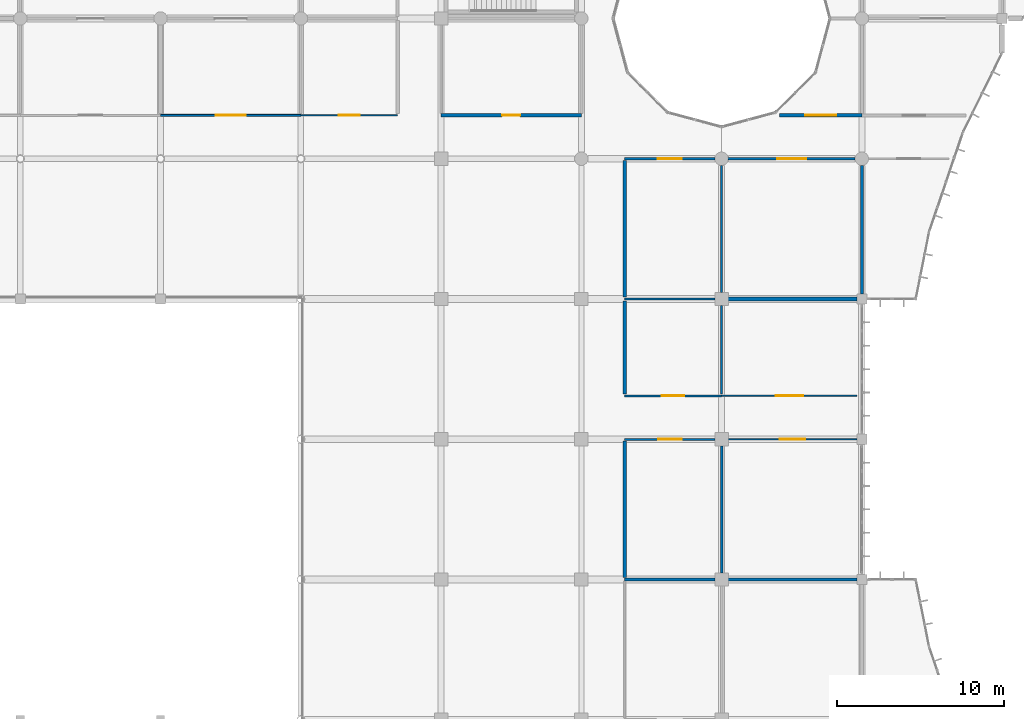
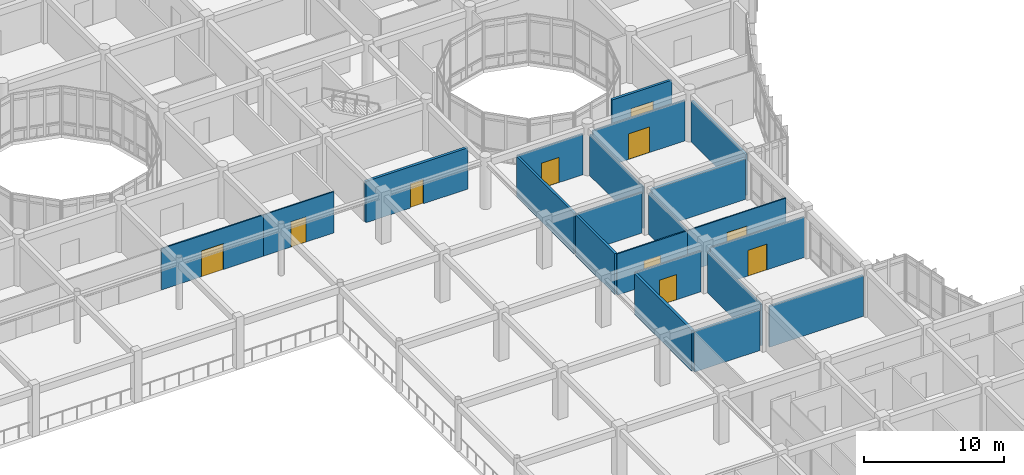
# One storey, part 105 of 144: 21 walls, 10 doors, 10 openings.
"""IFC4 building model written with IfcOpenShell, lengths in metres."""

import ifcopenshell
import ifcopenshell.guid

model = None  # the IFC model being written
_history = None  # IfcOwnerHistory: only IFC2X3 demands one
_inside = {}  # id of a spatial element -> (the spatial element, [elements in it])
_under = {}  # id of a project, library or spatial element -> (it, [spatial elements below it])
_declared = {}  # id of a project -> (the project, [libraries it declares])
_typed = {}  # id of a type object -> (the type object, [elements of that type])
_made_of = {}  # id of a material, layer set ... -> (it, [elements and type objects made of it])


def new_model(schema):
    """Start an empty IFC model of exactly this schema.

    Asked for "IFC4X3", IfcOpenShell would pick the latest addendum, in which some entities
    have other attributes; the version numbers below select the first issue.
    IFC2X3 requires an IfcOwnerHistory on every rooted entity: one is made here for all.
    """
    global model, _history
    if schema == "IFC4X3":
        model = ifcopenshell.file(schema_version=(4, 3, 0, 0))
    else:
        model = ifcopenshell.file(schema=schema)
    _inside.clear()
    _under.clear()
    _declared.clear()
    _typed.clear()
    _made_of.clear()
    _history = None
    if model.schema == "IFC2X3":
        org = make("IfcOrganization", Name="unknown")
        user = make(
            "IfcPersonAndOrganization",
            ThePerson=make("IfcPerson", FamilyName="unknown"),
            TheOrganization=org,
        )
        app = make(
            "IfcApplication",
            ApplicationDeveloper=org,
            Version="unknown",
            ApplicationFullName="unknown",
            ApplicationIdentifier="unknown",
        )
        _history = make(
            "IfcOwnerHistory",
            OwningUser=user,
            OwningApplication=app,
            ChangeAction="ADDED",
            CreationDate=0,
        )
    return model


def make(cls, **values):
    """One entity of the class cls with the attributes given. An attribute that is None is left unset."""
    return model.create_entity(
        cls, **{name: value for name, value in values.items() if value is not None}
    )


def rooted(cls, **values):
    """An entity with a GlobalId (a new one), such as an element, a storey or a relation."""
    return make(cls, GlobalId=ifcopenshell.guid.new(), OwnerHistory=_history, **values)


def si_unit(unit_type, name, prefix=None):
    """IfcSIUnit, for example si_unit("LENGTHUNIT", "METRE", prefix="MILLI")."""
    return make("IfcSIUnit", UnitType=unit_type, Prefix=prefix, Name=name)


def assignment(units):
    """IfcUnitAssignment: the units of a project."""
    return None if units is None else make("IfcUnitAssignment", Units=units)


def point(xyz):
    """IfcCartesianPoint."""
    return None if xyz is None else make("IfcCartesianPoint", Coordinates=xyz)


def direction(xyz):
    """IfcDirection."""
    return None if xyz is None else make("IfcDirection", DirectionRatios=xyz)


def frame(location, z_axis=None, x_axis=None):
    """IfcAxis2Placement3D, a coordinate frame: its origin and axes. An axis left out is left unset."""
    return make(
        "IfcAxis2Placement3D",
        Location=point(location),
        Axis=direction(z_axis),
        RefDirection=direction(x_axis),
    )


def frame_2d(location, x_axis=None):
    """IfcAxis2Placement2D, a coordinate frame in the plane: its origin and x axis."""
    return make(
        "IfcAxis2Placement2D", Location=point(location), RefDirection=direction(x_axis)
    )


def origin():
    """The frame at (0, 0, 0) with its axes left unset."""
    return frame((0.0, 0.0, 0.0))


def place(relative_to, where):
    """IfcLocalPlacement: puts the frame where relative to a parent placement (None: the world)."""
    return make(
        "IfcLocalPlacement", PlacementRelTo=relative_to, RelativePlacement=where
    )


def context(
    kind, dimensions, precision=None, world=None, true_north=None, identifier=None
):
    """IfcGeometricRepresentationContext, for example the 3D "Model" context."""
    return make(
        "IfcGeometricRepresentationContext",
        ContextIdentifier=identifier,
        ContextType=kind,
        CoordinateSpaceDimension=dimensions,
        Precision=precision,
        WorldCoordinateSystem=world,
        TrueNorth=true_north,
    )


def subcontext(parent, identifier, kind, view, scale=None):
    """IfcGeometricRepresentationSubContext, for example "Body" below "Model"."""
    return make(
        "IfcGeometricRepresentationSubContext",
        ContextIdentifier=identifier,
        ContextType=kind,
        ParentContext=parent,
        TargetScale=scale,
        TargetView=view,
    )


def project(units=None, contexts=None):
    """IfcProject with its units and contexts."""
    return rooted(
        "IfcProject",
        Name="project",
        RepresentationContexts=contexts,
        UnitsInContext=assignment(units),
    )


def spatial(cls, under=None, at=None, **own):
    """A site, building, storey or space (cls), placed at a placement, below another one or the project."""
    s = rooted(cls, ObjectPlacement=at, **own)
    if under is not None:
        _under.setdefault(under.id(), (under, []))[1].append(s)
    return s


def profile(cls, at=None, kind="AREA", **sizes):
    """A parametric profile (cls). Its sizes go by their IFC names, for example OverallWidth=200.0."""
    return make(cls, ProfileType=kind, Position=at, **sizes)


def rectangle(**sizes):
    """IfcRectangleProfileDef."""
    return profile("IfcRectangleProfileDef", **sizes)


def extrude(swept, where, along, depth):
    """IfcExtrudedAreaSolid: the profile swept, set in the frame where, extruded along a direction by depth."""
    return make(
        "IfcExtrudedAreaSolid",
        SweptArea=swept,
        Position=where,
        ExtrudedDirection=direction(along),
        Depth=depth,
    )


def shape(context_of_items, identifier, shape_type, items):
    """IfcShapeRepresentation: the items that make up one representation, for example the "Body"."""
    return make(
        "IfcShapeRepresentation",
        ContextOfItems=context_of_items,
        RepresentationIdentifier=identifier,
        RepresentationType=shape_type,
        Items=items,
    )


def material(Name=None, Category=None):
    """IfcMaterial."""
    return make("IfcMaterial", Name=Name, Category=Category)


def layer(
    of_material, thickness, ventilated=None, Name=None, Category=None, Priority=None
):
    """IfcMaterialLayer: one layer of a wall or slab, of a material (None: an air gap)."""
    return make(
        "IfcMaterialLayer",
        Material=of_material,
        LayerThickness=thickness,
        IsVentilated=ventilated,
        Name=Name,
        Category=Category,
        Priority=Priority,
    )


def layer_set(layers, Name=None):
    """IfcMaterialLayerSet."""
    return make("IfcMaterialLayerSet", MaterialLayers=layers, LayerSetName=Name)


def made_of(thing, what):
    """Note that an element or type object is made of a material, layer set ...; save() writes the relation."""
    if what is not None:
        _made_of.setdefault(what.id(), (what, []))[1].append(thing)
    return thing


def type_object(cls, material=None, **own):
    """A type object (cls), such as IfcWallType, which elements share."""
    return made_of(rooted(cls, **own), material)


def element(
    cls,
    number,
    at=None,
    inside=None,
    cuts=None,
    type_object=None,
    material=None,
    context=None,
    identifier="Body",
    shape_type=None,
    held_by="IfcProductDefinitionShape",
    body=None,
    shapes=None,
    **own,
):
    """One element of the class cls, such as IfcWall. Its Tag is "e" and its number.

    at: its placement. inside: the storey or other place that contains it. cuts: it is an
    opening in that element (IfcRelVoidsElement). A single representation is given by context,
    identifier, shape_type and body (its items); several are given by shapes. held_by: the class
    of the entity that holds the representations. save() writes the other relations.
    """
    e = rooted(cls, Tag="e%d" % number, ObjectPlacement=at, **own)
    if body is not None:
        shapes = [shape(context, identifier, shape_type, body)]
    if shapes is not None:
        e.Representation = make(held_by, Representations=shapes)
    if inside is not None:
        _inside.setdefault(inside.id(), (inside, []))[1].append(e)
    if cuts is not None:
        rooted(
            "IfcRelVoidsElement", RelatingBuildingElement=cuts, RelatedOpeningElement=e
        )
    if type_object is not None:
        _typed.setdefault(type_object.id(), (type_object, []))[1].append(e)
    return made_of(e, material)


def fill(opening, filler):
    """IfcRelFillsElement: the door or window that sits in an opening."""
    return rooted(
        "IfcRelFillsElement",
        RelatingOpeningElement=opening,
        RelatedBuildingElement=filler,
    )


def aggregate(whole, parts):
    """IfcRelAggregates: a whole, such as a stair, and the parts it consists of."""
    return rooted("IfcRelAggregates", RelatingObject=whole, RelatedObjects=parts)


def save(model, path):
    """Write the relations noted so far, then the file.

    IfcRelAggregates (storeys below a building ...), IfcRelContainedInSpatialStructure (elements
    in a storey), IfcRelDefinesByType, IfcRelAssociatesMaterial and IfcRelDeclares: one each for
    every whole, place, type object, material and project.
    """
    for whole, parts in _under.values():
        aggregate(whole, parts)
    for where, things in _inside.values():
        rooted(
            "IfcRelContainedInSpatialStructure",
            RelatedElements=things,
            RelatingStructure=where,
        )
    for kind, things in _typed.values():
        rooted("IfcRelDefinesByType", RelatedObjects=things, RelatingType=kind)
    for what, things in _made_of.values():
        rooted("IfcRelAssociatesMaterial", RelatedObjects=things, RelatingMaterial=what)
    for by, libraries in _declared.values():
        rooted("IfcRelDeclares", RelatingContext=by, RelatedDefinitions=libraries)
    model.write(path)


model = new_model("IFC4")

# Units and contexts
model_context = context("Model", 3, precision=1e-05, world=origin(), true_north=direction((0.0, 1.0)))
body_context = subcontext(model_context, "Body", "Model", "MODEL_VIEW")
ifc_project = project(units=[si_unit("LENGTHUNIT", "METRE"), si_unit("AREAUNIT", "SQUARE_METRE"), si_unit("VOLUMEUNIT", "CUBIC_METRE"), si_unit("PLANEANGLEUNIT", "RADIAN"), si_unit("MASSUNIT", "GRAM", prefix="KILO")], contexts=[model_context])

# Site, building, storey
site_placement = place(None, origin())
site = spatial("IfcSite", under=ifc_project, at=site_placement, CompositionType="ELEMENT")
building_placement = place(site_placement, origin())
building = spatial("IfcBuilding", under=site, at=building_placement, Name="Bramfleet General Hospital", CompositionType="ELEMENT")
storey_placement = place(building_placement, frame((0.0, 0.0, 4.800048828125)))
storey = spatial("IfcBuildingStorey", under=building, at=storey_placement, Name="L01", CompositionType="ELEMENT", Elevation=4.800048828125)

# Wall
ifc_material_1 = material(Name="Concrete C35/45", Category="concrete")
ifc_layer_1 = layer(ifc_material_1, 0.219970703125, Name="WT-IW-01")
ifc_layer_set_1 = layer_set([ifc_layer_1], Name="Concrete C35/45")
wall_type_1 = type_object("IfcWallType", Name="WT-IW-01", PredefinedType="PARTITIONING", material=ifc_layer_set_1)
wall_1_placement = place(storey_placement, frame((117.9951171875, 50.39990234375, 0.0), z_axis=(0.0, 0.0, 1.0), x_axis=(1.0, 0.0, 0.0)))
element("IfcWall", 1, at=wall_1_placement, inside=storey, type_object=wall_type_1, Name="L01 Interior Partition IW-L01-1381", PredefinedType="PARTITIONING", context=body_context, shape_type="SweptSolid", body=[
    extrude(rectangle(XDim=7.7099609375, YDim=0.219970703125, at=frame_2d((3.85498046875, 0.0))), origin(), (0.0, 0.0, 1.0), 3.5400390625),
])

# Wall, opening, door
wall_2_placement = place(storey_placement, frame((100.800048828125, 61.39990234375, 0.0), z_axis=(0.0, 0.0, 1.0), x_axis=(1.0, 0.0, 0.0)))
wall_2 = element("IfcWall", 2, at=wall_2_placement, inside=storey, type_object=wall_type_1, Name="L01 Interior Partition IW-L01-1405", PredefinedType="PARTITIONING", context=body_context, shape_type="SweptSolid", body=[
    extrude(rectangle(XDim=8.39990234375, YDim=0.219970703125, at=frame_2d((4.199951171875, 0.0))), origin(), (0.0, 0.0, 1.0), 3.58984375),
])
opening_1_placement = place(wall_2_placement, frame((3.659912109375, 0.0, 0.0)))
opening_1 = element("IfcOpeningElement", 3, at=opening_1_placement, cuts=wall_2, Name="Opening D0758", PredefinedType="OPENING", context=body_context, shape_type="SweptSolid", body=[
    extrude(rectangle(XDim=1.080078125, YDim=2.1201171875, at=frame_2d((0.5400390625, 1.06005859375))), frame((0.0, 0.119873046875, 0.0), z_axis=(0.0, -1.0, 0.0), x_axis=(1.0, 0.0, 0.0)), (0.0, 0.0, 1.0), 0.239990234375),
])
ifc_material_2 = material(Name="Stainless steel and acoustic timber leaf", Category="steel")
door_type_1 = type_object("IfcDoorType", Name="DR-D-22", OperationType="NOTDEFINED", PredefinedType="DOOR", material=ifc_material_2)
door_1_placement = place(opening_1_placement, origin())
door_1 = element("IfcDoor", 4, at=door_1_placement, inside=storey, type_object=door_type_1, Name="Pathology and Clinical Laboratory L01-1207A Door D0758", OperationType="SINGLE_SWING_LEFT", OverallHeight=2.1201171875, OverallWidth=1.080078125, PredefinedType="DOOR", context=body_context, shape_type="SweptSolid", body=[
    extrude(rectangle(XDim=1.080078125, YDim=2.1201171875, at=frame_2d((0.5400390625, 1.06005859375))), frame((0.0, 0.02490234375, 0.0), z_axis=(0.0, -1.0, 0.0), x_axis=(1.0, 0.0, 0.0)), (0.0, 0.0, 1.0), 0.050048828125),
])
fill(opening_1, door_1)

# Wall
wall_3_placement = place(storey_placement, frame((111.800048828125, 33.715087890625, 0.0), z_axis=(0.0, 0.0, 1.0), x_axis=(0.0, 1.0, 0.0)))
element("IfcWall", 5, at=wall_3_placement, inside=storey, type_object=wall_type_1, Name="L01 Interior Partition IW-L01-1825", PredefinedType="PARTITIONING", context=body_context, shape_type="SweptSolid", body=[
    extrude(rectangle(XDim=8.169921875, YDim=0.219970703125, at=frame_2d((4.0849609375, 0.0))), origin(), (0.0, 0.0, 1.0), 3.5400390625),
])

# Wall, opening, door
ifc_layer_2 = layer(ifc_material_1, 0.205078125, Name="WT-IW-02")
ifc_layer_set_2 = layer_set([ifc_layer_2], Name="Concrete C35/45")
wall_type_2 = type_object("IfcWallType", Name="WT-IW-02", PredefinedType="PARTITIONING", material=ifc_layer_set_2)
wall_4_placement = place(storey_placement, frame((121.074951171875, 61.39990234375, 0.0), z_axis=(0.0, 0.0, 1.0), x_axis=(1.0, 0.0, 0.0)))
wall_4 = element("IfcWall", 6, at=wall_4_placement, inside=storey, type_object=wall_type_2, Name="L01 Interior Partition IW-L01-1406", PredefinedType="PARTITIONING", context=body_context, shape_type="SweptSolid", body=[
    extrude(rectangle(XDim=4.925048828125, YDim=0.205078125, at=frame_2d((2.46240234375, 0.0))), origin(), (0.0, 0.0, 1.0), 3.58984375),
])
opening_2_placement = place(wall_4_placement, frame((1.54248046875, 0.0, 0.0)))
opening_2 = element("IfcOpeningElement", 7, at=opening_2_placement, cuts=wall_4, Name="Opening D0788", PredefinedType="OPENING", context=body_context, shape_type="SweptSolid", body=[
    extrude(rectangle(XDim=1.840087890625, YDim=2.280029296875, at=frame_2d((0.919921875, 1.14013671875))), frame((0.0, 0.112548828125, 0.0), z_axis=(0.0, -1.0, 0.0), x_axis=(1.0, 0.0, 0.0)), (0.0, 0.0, 1.0), 0.22509765625),
])
door_type_2 = type_object("IfcDoorType", Name="DR-D-20", OperationType="NOTDEFINED", PredefinedType="DOOR", material=ifc_material_2)
door_2_placement = place(opening_2_placement, origin())
door_2 = element("IfcDoor", 8, at=door_2_placement, inside=storey, type_object=door_type_2, Name="Courtyard Waiting Lounge L01-1407 Door D0788", OperationType="DOUBLE_SWING_LEFT", OverallHeight=2.280029296875, OverallWidth=1.840087890625, PredefinedType="DOOR", context=body_context, shape_type="SweptSolid", body=[
    extrude(rectangle(XDim=1.840087890625, YDim=2.280029296875, at=frame_2d((0.919921875, 1.14013671875))), frame((0.0, 0.02490234375, 0.0), z_axis=(0.0, -1.0, 0.0), x_axis=(1.0, 0.0, 0.0)), (0.0, 0.0, 1.0), 0.050048828125),
])
fill(opening_2, door_2)

# Walls
wall_5_placement = place(storey_placement, frame((111.800048828125, 44.715087890625, 0.0), z_axis=(0.0, 0.0, 1.0), x_axis=(0.0, 1.0, 0.0)))
element("IfcWall", 9, at=wall_5_placement, inside=storey, type_object=wall_type_2, Name="L01 Interior Partition IW-L01-1826", PredefinedType="PARTITIONING", context=body_context, shape_type="SweptSolid", body=[
    extrude(rectangle(XDim=5.56982421875, YDim=0.205078125, at=frame_2d((2.784912109375, 0.0))), origin(), (0.0, 0.0, 1.0), 3.5400390625),
])
ifc_layer_3 = layer(ifc_material_1, 0.18994140625, Name="WT-IW-03")
ifc_layer_set_3 = layer_set([ifc_layer_3], Name="Concrete C35/45")
wall_type_3 = type_object("IfcWallType", Name="WT-IW-03", PredefinedType="PARTITIONING", material=ifc_layer_set_3)
wall_6_placement = place(storey_placement, frame((111.800048828125, 50.514892578125, 0.0), z_axis=(0.0, 0.0, 1.0), x_axis=(0.0, 1.0, 0.0)))
element("IfcWall", 10, at=wall_6_placement, inside=storey, type_object=wall_type_3, Name="L01 Interior Partition IW-L01-1827", PredefinedType="PARTITIONING", context=body_context, shape_type="SweptSolid", body=[
    extrude(rectangle(XDim=8.170166015625, YDim=0.18994140625, at=frame_2d((4.0849609375, 0.0))), origin(), (0.0, 0.0, 1.0), 3.5400390625),
])
wall_7_placement = place(storey_placement, frame((126.0, 50.695068359375, 0.0), z_axis=(0.0, 0.0, 1.0), x_axis=(0.0, 1.0, 0.0)))
element("IfcWall", 11, at=wall_7_placement, inside=storey, type_object=wall_type_3, Name="L01 Interior Partition IW-L01-1863", PredefinedType="PARTITIONING", context=body_context, shape_type="SweptSolid", body=[
    extrude(rectangle(XDim=7.7099609375, YDim=0.18994140625, at=frame_2d((3.85498046875, 0.0))), origin(), (0.0, 0.0, 1.0), 3.58984375),
])
ifc_layer_4 = layer(ifc_material_1, 0.179931640625, Name="WT-IW-04")
ifc_layer_set_4 = layer_set([ifc_layer_4], Name="Concrete C35/45")
wall_type_4 = type_object("IfcWallType", Name="WT-IW-04", PredefinedType="PARTITIONING", material=ifc_layer_set_4)
wall_8_placement = place(storey_placement, frame((111.800048828125, 33.60009765625, 0.0), z_axis=(0.0, 0.0, 1.0), x_axis=(1.0, 0.0, 0.0)))
element("IfcWall", 12, at=wall_8_placement, inside=storey, type_object=wall_type_4, Name="L01 Interior Partition IW-L01-1336", PredefinedType="PARTITIONING", context=body_context, shape_type="SweptSolid", body=[
    extrude(rectangle(XDim=5.405029296875, YDim=0.179931640625, at=frame_2d((2.70263671875, 0.0))), origin(), (0.0, 0.0, 1.0), 3.5400390625),
])
ifc_material_3 = material(Name="Gypsum plasterboard on acoustic steel studs", Category="steel")
ifc_layer_5 = layer(ifc_material_3, 0.169921875, Name="WT-IW-05")
ifc_layer_set_5 = layer_set([ifc_layer_5], Name="Gypsum plasterboard on acoustic steel studs")
wall_type_5 = type_object("IfcWallType", Name="WT-IW-05", PredefinedType="PARTITIONING", material=ifc_layer_set_5)
wall_9_placement = place(storey_placement, frame((117.9951171875, 33.60009765625, 0.0), z_axis=(0.0, 0.0, 1.0), x_axis=(1.0, 0.0, 0.0)))
element("IfcWall", 13, at=wall_9_placement, inside=storey, type_object=wall_type_5, Name="L01 Interior Partition IW-L01-1337", PredefinedType="PARTITIONING", context=body_context, shape_type="SweptSolid", body=[
    extrude(rectangle(XDim=7.7099609375, YDim=0.169921875, at=frame_2d((3.85498046875, 0.0))), origin(), (0.0, 0.0, 1.0), 3.5400390625),
])
ifc_layer_6 = layer(ifc_material_3, 0.139892578125, Name="WT-IW-08")
ifc_layer_set_6 = layer_set([ifc_layer_6], Name="Gypsum plasterboard on acoustic steel studs")
wall_type_6 = type_object("IfcWallType", Name="WT-IW-08", PredefinedType="PARTITIONING", material=ifc_layer_set_6)
wall_10_placement = place(storey_placement, frame((117.60009765625, 33.9951171875, 0.0), z_axis=(0.0, 0.0, 1.0), x_axis=(0.0, 1.0, 0.0)))
element("IfcWall", 14, at=wall_10_placement, inside=storey, type_object=wall_type_6, Name="L01 Interior Partition IW-L01-1844", PredefinedType="PARTITIONING", context=body_context, shape_type="SweptSolid", body=[
    extrude(rectangle(XDim=7.60986328125, YDim=0.139892578125, at=frame_2d((3.804931640625, 0.0))), origin(), (0.0, 0.0, 1.0), 3.58984375),
])

# Wall, opening, door
ifc_layer_7 = layer(ifc_material_3, 0.1298828125, Name="WT-IW-09")
ifc_layer_set_7 = layer_set([ifc_layer_7], Name="Gypsum plasterboard on acoustic steel studs")
wall_type_7 = type_object("IfcWallType", Name="WT-IW-09", PredefinedType="PARTITIONING", material=ifc_layer_set_7)
wall_11_placement = place(storey_placement, frame((111.800048828125, 58.800048828125, 0.0), z_axis=(0.0, 0.0, 1.0), x_axis=(1.0, 0.0, 0.0)))
wall_11 = element("IfcWall", 15, at=wall_11_placement, inside=storey, type_object=wall_type_7, Name="L01 Interior Partition IW-L01-1389", PredefinedType="PARTITIONING", context=body_context, shape_type="SweptSolid", body=[
    extrude(rectangle(XDim=5.405029296875, YDim=0.1298828125, at=frame_2d((2.70263671875, 0.0))), origin(), (0.0, 0.0, 1.0), 3.5400390625),
])
opening_3_placement = place(wall_11_placement, frame((1.9775390625, 0.0, 0.0)))
opening_3 = element("IfcOpeningElement", 16, at=opening_3_placement, cuts=wall_11, Name="Opening D0771", PredefinedType="OPENING", context=body_context, shape_type="SweptSolid", body=[
    extrude(rectangle(XDim=1.449951171875, YDim=2.199951171875, at=frame_2d((0.72509765625, 1.10009765625))), frame((0.0, 0.074951171875, 0.0), z_axis=(0.0, -1.0, 0.0), x_axis=(1.0, 0.0, 0.0)), (0.0, 0.0, 1.0), 0.14990234375),
])
door_type_3 = type_object("IfcDoorType", Name="DR-D-03", OperationType="NOTDEFINED", PredefinedType="DOOR", material=ifc_material_2)
door_3_placement = place(opening_3_placement, origin())
door_3 = element("IfcDoor", 17, at=door_3_placement, inside=storey, type_object=door_type_3, Name="Pathology and Clinical Laboratory L01-1306A Door D0771", OperationType="SINGLE_SWING_RIGHT", OverallHeight=2.199951171875, OverallWidth=1.449951171875, PredefinedType="DOOR", context=body_context, shape_type="SweptSolid", body=[
    extrude(rectangle(XDim=1.449951171875, YDim=2.199951171875, at=frame_2d((0.72509765625, 1.10009765625))), frame((0.0, 0.02490234375, 0.0), z_axis=(0.0, -1.0, 0.0), x_axis=(1.0, 0.0, 0.0)), (0.0, 0.0, 1.0), 0.050048828125),
])
fill(opening_3, door_3)

# Wall
wall_12_placement = place(storey_placement, frame((117.60009765625, 44.715087890625, 0.0), z_axis=(0.0, 0.0, 1.0), x_axis=(0.0, 1.0, 0.0)))
element("IfcWall", 18, at=wall_12_placement, inside=storey, type_object=wall_type_7, Name="L01 Interior Partition IW-L01-1845", PredefinedType="PARTITIONING", context=body_context, shape_type="SweptSolid", body=[
    extrude(rectangle(XDim=5.289794921875, YDim=0.1298828125, at=frame_2d((2.64501953125, 0.0))), origin(), (0.0, 0.0, 1.0), 3.58984375),
])

# Wall, opening, door
ifc_layer_8 = layer(ifc_material_3, 0.1201171875, Name="WT-IW-10")
ifc_layer_set_8 = layer_set([ifc_layer_8], Name="Gypsum plasterboard on acoustic steel studs")
wall_type_8 = type_object("IfcWallType", Name="WT-IW-10", PredefinedType="PARTITIONING", material=ifc_layer_set_8)
wall_13_placement = place(storey_placement, frame((111.800048828125, 42.0, 0.0), z_axis=(0.0, 0.0, 1.0), x_axis=(1.0, 0.0, 0.0)))
wall_13 = element("IfcWall", 19, at=wall_13_placement, inside=storey, type_object=wall_type_8, Name="L01 Interior Partition IW-L01-1354", PredefinedType="PARTITIONING", context=body_context, shape_type="SweptSolid", body=[
    extrude(rectangle(XDim=5.405029296875, YDim=0.1201171875, at=frame_2d((2.70263671875, 0.0))), origin(), (0.0, 0.0, 1.0), 3.5400390625),
])
opening_4_placement = place(wall_13_placement, frame((2.00244140625, 0.0, 0.0)))
opening_4 = element("IfcOpeningElement", 20, at=opening_4_placement, cuts=wall_13, Name="Opening D0769", PredefinedType="OPENING", context=body_context, shape_type="SweptSolid", body=[
    extrude(rectangle(XDim=1.39990234375, YDim=2.199951171875, at=frame_2d((0.699951171875, 1.10009765625))), frame((0.0, 0.070068359375, 0.0), z_axis=(0.0, -1.0, 0.0), x_axis=(1.0, 0.0, 0.0)), (0.0, 0.0, 1.0), 0.14013671875),
])
door_type_4 = type_object("IfcDoorType", Name="DR-D-01", OperationType="NOTDEFINED", PredefinedType="DOOR", material=ifc_material_2)
door_4_placement = place(opening_4_placement, origin())
door_4 = element("IfcDoor", 21, at=door_4_placement, inside=storey, type_object=door_type_4, Name="Pathology and Clinical Laboratory L01-1304A Door D0769", OperationType="SINGLE_SWING_RIGHT", OverallHeight=2.199951171875, OverallWidth=1.39990234375, PredefinedType="DOOR", context=body_context, shape_type="SweptSolid", body=[
    extrude(rectangle(XDim=1.39990234375, YDim=2.199951171875, at=frame_2d((0.699951171875, 1.10009765625))), frame((0.0, 0.02490234375, 0.0), z_axis=(0.0, -1.0, 0.0), x_axis=(1.0, 0.0, 0.0)), (0.0, 0.0, 1.0), 0.050048828125),
])
fill(opening_4, door_4)

wall_14_placement = place(storey_placement, frame((117.9951171875, 58.800048828125, 0.0), z_axis=(0.0, 0.0, 1.0), x_axis=(1.0, 0.0, 0.0)))
wall_14 = element("IfcWall", 22, at=wall_14_placement, inside=storey, type_object=wall_type_8, Name="L01 Interior Partition IW-L01-1390", PredefinedType="PARTITIONING", context=body_context, shape_type="SweptSolid", body=[
    extrude(rectangle(XDim=7.60986328125, YDim=0.1201171875, at=frame_2d((3.804931640625, 0.0))), origin(), (0.0, 0.0, 1.0), 3.5400390625),
])
opening_5_placement = place(wall_14_placement, frame((2.93505859375, 0.0, 0.0)))
opening_5 = element("IfcOpeningElement", 23, at=opening_5_placement, cuts=wall_14, Name="Opening D0787", PredefinedType="OPENING", context=body_context, shape_type="SweptSolid", body=[
    extrude(rectangle(XDim=1.739990234375, YDim=2.239990234375, at=frame_2d((0.8701171875, 1.1201171875))), frame((0.0, 0.070068359375, 0.0), z_axis=(0.0, -1.0, 0.0), x_axis=(1.0, 0.0, 0.0)), (0.0, 0.0, 1.0), 0.14013671875),
])
door_type_5 = type_object("IfcDoorType", Name="DR-D-19", OperationType="NOTDEFINED", PredefinedType="DOOR", material=ifc_material_2)
door_5_placement = place(opening_5_placement, origin())
door_5 = element("IfcDoor", 24, at=door_5_placement, inside=storey, type_object=door_type_5, Name="Pathology and Clinical Laboratory L01-1406A Door D0787", OperationType="DOUBLE_SWING_RIGHT", OverallHeight=2.239990234375, OverallWidth=1.739990234375, PredefinedType="DOOR", context=body_context, shape_type="SweptSolid", body=[
    extrude(rectangle(XDim=1.739990234375, YDim=2.239990234375, at=frame_2d((0.8701171875, 1.1201171875))), frame((0.0, 0.02490234375, 0.0), z_axis=(0.0, -1.0, 0.0), x_axis=(1.0, 0.0, 0.0)), (0.0, 0.0, 1.0), 0.050048828125),
])
fill(opening_5, door_5)

# Wall
wall_15_placement = place(storey_placement, frame((117.60009765625, 50.794921875, 0.0), z_axis=(0.0, 0.0, 1.0), x_axis=(0.0, 1.0, 0.0)))
element("IfcWall", 25, at=wall_15_placement, inside=storey, type_object=wall_type_8, Name="L01 Interior Partition IW-L01-1846", PredefinedType="PARTITIONING", context=body_context, shape_type="SweptSolid", body=[
    extrude(rectangle(XDim=7.610107421875, YDim=0.1201171875, at=frame_2d((3.80517578125, 0.0))), origin(), (0.0, 0.0, 1.0), 3.58984375),
])

# Wall, opening, door
ifc_layer_9 = layer(ifc_material_3, 0.112060546875, Name="WT-IW-11")
ifc_layer_set_9 = layer_set([ifc_layer_9], Name="Gypsum plasterboard on acoustic steel studs")
wall_type_9 = type_object("IfcWallType", Name="WT-IW-11", PredefinedType="PARTITIONING", material=ifc_layer_set_9)
wall_16_placement = place(storey_placement, frame((117.9951171875, 42.0, 0.0), z_axis=(0.0, 0.0, 1.0), x_axis=(1.0, 0.0, 0.0)))
wall_16 = element("IfcWall", 26, at=wall_16_placement, inside=storey, type_object=wall_type_9, Name="L01 Interior Partition IW-L01-1355", PredefinedType="PARTITIONING", context=body_context, shape_type="SweptSolid", body=[
    extrude(rectangle(XDim=7.7099609375, YDim=0.112060546875, at=frame_2d((3.85498046875, 0.0))), origin(), (0.0, 0.0, 1.0), 3.5400390625),
])
opening_6_placement = place(wall_16_placement, frame((3.0849609375, 0.0, 0.0)))
opening_6 = element("IfcOpeningElement", 27, at=opening_6_placement, cuts=wall_16, Name="Opening D0785", PredefinedType="OPENING", context=body_context, shape_type="SweptSolid", body=[
    extrude(rectangle(XDim=1.5400390625, YDim=2.239990234375, at=frame_2d((0.77001953125, 1.1201171875))), frame((0.0, 0.06591796875, 0.0), z_axis=(0.0, -1.0, 0.0), x_axis=(1.0, 0.0, 0.0)), (0.0, 0.0, 1.0), 0.132080078125),
])
door_type_6 = type_object("IfcDoorType", Name="DR-D-17", OperationType="NOTDEFINED", PredefinedType="DOOR", material=ifc_material_2)
door_6_placement = place(opening_6_placement, origin())
door_6 = element("IfcDoor", 28, at=door_6_placement, inside=storey, type_object=door_type_6, Name="Pathology and Clinical Laboratory L01-1404A Door D0785", OperationType="SINGLE_SWING_RIGHT", OverallHeight=2.239990234375, OverallWidth=1.5400390625, PredefinedType="DOOR", context=body_context, shape_type="SweptSolid", body=[
    extrude(rectangle(XDim=1.5400390625, YDim=2.239990234375, at=frame_2d((0.77001953125, 1.1201171875))), frame((0.0, 0.02490234375, 0.0), z_axis=(0.0, -1.0, 0.0), x_axis=(1.0, 0.0, 0.0)), (0.0, 0.0, 1.0), 0.050048828125),
])
fill(opening_6, door_6)

wall_17_placement = place(storey_placement, frame((111.800048828125, 44.60009765625, 0.0), z_axis=(0.0, 0.0, 1.0), x_axis=(1.0, 0.0, 0.0)))
wall_17 = element("IfcWall", 29, at=wall_17_placement, inside=storey, type_object=wall_type_9, Name="L01 Interior Partition IW-L01-1367", PredefinedType="PARTITIONING", context=body_context, shape_type="SweptSolid", body=[
    extrude(rectangle(XDim=5.800048828125, YDim=0.112060546875, at=frame_2d((2.89990234375, 0.0))), origin(), (0.0, 0.0, 1.0), 3.58984375),
])
opening_7_placement = place(wall_17_placement, frame((2.22509765625, 0.0, 0.0)))
opening_7 = element("IfcOpeningElement", 30, at=opening_7_placement, cuts=wall_17, Name="Opening D0770", PredefinedType="OPENING", context=body_context, shape_type="SweptSolid", body=[
    extrude(rectangle(XDim=1.35009765625, YDim=2.199951171875, at=frame_2d((0.675048828125, 1.10009765625))), frame((0.0, 0.06591796875, 0.0), z_axis=(0.0, -1.0, 0.0), x_axis=(1.0, 0.0, 0.0)), (0.0, 0.0, 1.0), 0.132080078125),
])
door_type_7 = type_object("IfcDoorType", Name="DR-D-02", OperationType="NOTDEFINED", PredefinedType="DOOR", material=ifc_material_2)
door_7_placement = place(opening_7_placement, origin())
door_7 = element("IfcDoor", 31, at=door_7_placement, inside=storey, type_object=door_type_7, Name="Pathology and Clinical Laboratory L01-1305A Door D0770", OperationType="SINGLE_SWING_LEFT", OverallHeight=2.199951171875, OverallWidth=1.35009765625, PredefinedType="DOOR", context=body_context, shape_type="SweptSolid", body=[
    extrude(rectangle(XDim=1.35009765625, YDim=2.199951171875, at=frame_2d((0.675048828125, 1.10009765625))), frame((0.0, 0.02490234375, 0.0), z_axis=(0.0, -1.0, 0.0), x_axis=(1.0, 0.0, 0.0)), (0.0, 0.0, 1.0), 0.050048828125),
])
fill(opening_7, door_7)

wall_18_placement = place(storey_placement, frame((84.0, 61.39990234375, 0.0), z_axis=(0.0, 0.0, 1.0), x_axis=(1.0, 0.0, 0.0)))
wall_18 = element("IfcWall", 32, at=wall_18_placement, inside=storey, type_object=wall_type_9, Name="L01 Interior Partition IW-L01-1403", PredefinedType="PARTITIONING", context=body_context, shape_type="SweptSolid", body=[
    extrude(rectangle(XDim=8.39990234375, YDim=0.112060546875, at=frame_2d((4.199951171875, 0.0))), origin(), (0.0, 0.0, 1.0), 3.58984375),
])
opening_8_placement = place(wall_18_placement, frame((3.300048828125, 0.0, 0.0)))
opening_8 = element("IfcOpeningElement", 33, at=opening_8_placement, cuts=wall_18, Name="Opening D0741", PredefinedType="OPENING", context=body_context, shape_type="SweptSolid", body=[
    extrude(rectangle(XDim=1.800048828125, YDim=2.25, at=frame_2d((0.89990234375, 1.125))), frame((0.0, 0.06591796875, 0.0), z_axis=(0.0, -1.0, 0.0), x_axis=(1.0, 0.0, 0.0)), (0.0, 0.0, 1.0), 0.132080078125),
])
door_type_8 = type_object("IfcDoorType", Name="DR-D-05", OperationType="NOTDEFINED", PredefinedType="DOOR", material=ifc_material_2)
door_8_placement = place(opening_8_placement, origin())
door_8 = element("IfcDoor", 34, at=door_8_placement, inside=storey, type_object=door_type_8, Name="Pathology and Clinical Laboratory L01-1007A Door D0741", OperationType="DOUBLE_SWING_RIGHT", OverallHeight=2.25, OverallWidth=1.800048828125, PredefinedType="DOOR", context=body_context, shape_type="SweptSolid", body=[
    extrude(rectangle(XDim=1.800048828125, YDim=2.25, at=frame_2d((0.89990234375, 1.125))), frame((0.0, 0.02490234375, 0.0), z_axis=(0.0, -1.0, 0.0), x_axis=(1.0, 0.0, 0.0)), (0.0, 0.0, 1.0), 0.050048828125),
])
fill(opening_8, door_8)

ifc_layer_10 = layer(ifc_material_3, 0.10009765625, Name="WT-IW-12")
ifc_layer_set_10 = layer_set([ifc_layer_10], Name="Gypsum plasterboard on acoustic steel studs")
wall_type_10 = type_object("IfcWallType", Name="WT-IW-12", PredefinedType="PARTITIONING", material=ifc_layer_set_10)
wall_19_placement = place(storey_placement, frame((117.60009765625, 44.60009765625, 0.0), z_axis=(0.0, 0.0, 1.0), x_axis=(1.0, 0.0, 0.0)))
wall_19 = element("IfcWall", 35, at=wall_19_placement, inside=storey, type_object=wall_type_10, Name="L01 Interior Partition IW-L01-1368", PredefinedType="PARTITIONING", context=body_context, shape_type="SweptSolid", body=[
    extrude(rectangle(XDim=8.119873046875, YDim=0.10009765625, at=frame_2d((4.06005859375, 0.0))), origin(), (0.0, 0.0, 1.0), 3.58984375),
])
opening_9_placement = place(wall_19_placement, frame((3.239990234375, 0.0, 0.0)))
opening_9 = element("IfcOpeningElement", 36, at=opening_9_placement, cuts=wall_19, Name="Opening D0786", PredefinedType="OPENING", context=body_context, shape_type="SweptSolid", body=[
    extrude(rectangle(XDim=1.639892578125, YDim=2.280029296875, at=frame_2d((0.81982421875, 1.14013671875))), frame((0.0, 0.06005859375, 0.0), z_axis=(0.0, -1.0, 0.0), x_axis=(1.0, 0.0, 0.0)), (0.0, 0.0, 1.0), 0.1201171875),
])
door_type_9 = type_object("IfcDoorType", Name="DR-D-18", OperationType="NOTDEFINED", PredefinedType="DOOR", material=ifc_material_2)
door_9_placement = place(opening_9_placement, origin())
door_9 = element("IfcDoor", 37, at=door_9_placement, inside=storey, type_object=door_type_9, Name="Pathology and Clinical Laboratory L01-1405A Door D0786", OperationType="DOUBLE_SWING_LEFT", OverallHeight=2.280029296875, OverallWidth=1.639892578125, PredefinedType="DOOR", context=body_context, shape_type="SweptSolid", body=[
    extrude(rectangle(XDim=1.639892578125, YDim=2.280029296875, at=frame_2d((0.81982421875, 1.14013671875))), frame((0.0, 0.02490234375, 0.0), z_axis=(0.0, -1.0, 0.0), x_axis=(1.0, 0.0, 0.0)), (0.0, 0.0, 1.0), 0.050048828125),
])
fill(opening_9, door_9)

# Wall
wall_20_placement = place(storey_placement, frame((111.800048828125, 50.39990234375, 0.0), z_axis=(0.0, 0.0, 1.0), x_axis=(1.0, 0.0, 0.0)))
element("IfcWall", 38, at=wall_20_placement, inside=storey, type_object=wall_type_10, Name="L01 Interior Partition IW-L01-1380", PredefinedType="PARTITIONING", context=body_context, shape_type="SweptSolid", body=[
    extrude(rectangle(XDim=5.405029296875, YDim=0.10009765625, at=frame_2d((2.70263671875, 0.0))), origin(), (0.0, 0.0, 1.0), 3.5400390625),
])

# Wall, opening, door
wall_21_placement = place(storey_placement, frame((92.39990234375, 61.39990234375, 0.0), z_axis=(0.0, 0.0, 1.0), x_axis=(1.0, 0.0, 0.0)))
wall_21 = element("IfcWall", 39, at=wall_21_placement, inside=storey, type_object=wall_type_10, Name="L01 Interior Partition IW-L01-1404", PredefinedType="PARTITIONING", context=body_context, shape_type="SweptSolid", body=[
    extrude(rectangle(XDim=5.800048828125, YDim=0.10009765625, at=frame_2d((2.89990234375, 0.0))), origin(), (0.0, 0.0, 1.0), 3.58984375),
])
opening_10_placement = place(wall_21_placement, frame((2.27490234375, 0.0, 0.0)))
opening_10 = element("IfcOpeningElement", 40, at=opening_10_placement, cuts=wall_21, Name="Opening D0750", PredefinedType="OPENING", context=body_context, shape_type="SweptSolid", body=[
    extrude(rectangle(XDim=1.25, YDim=2.199951171875, at=frame_2d((0.625, 1.10009765625))), frame((0.0, 0.06005859375, 0.0), z_axis=(0.0, -1.0, 0.0), x_axis=(1.0, 0.0, 0.0)), (0.0, 0.0, 1.0), 0.1201171875),
])
door_type_10 = type_object("IfcDoorType", Name="DR-D-14", OperationType="NOTDEFINED", PredefinedType="DOOR", material=ifc_material_2)
door_10_placement = place(opening_10_placement, origin())
door_10 = element("IfcDoor", 41, at=door_10_placement, inside=storey, type_object=door_type_10, Name="Pathology and Clinical Laboratory L01-1107A Door D0750", OperationType="SINGLE_SWING_LEFT", OverallHeight=2.199951171875, OverallWidth=1.25, PredefinedType="DOOR", context=body_context, shape_type="SweptSolid", body=[
    extrude(rectangle(XDim=1.25, YDim=2.199951171875, at=frame_2d((0.625, 1.10009765625))), frame((0.0, 0.02490234375, 0.0), z_axis=(0.0, -1.0, 0.0), x_axis=(1.0, 0.0, 0.0)), (0.0, 0.0, 1.0), 0.050048828125),
])
fill(opening_10, door_10)

save(model, "model.ifc")
